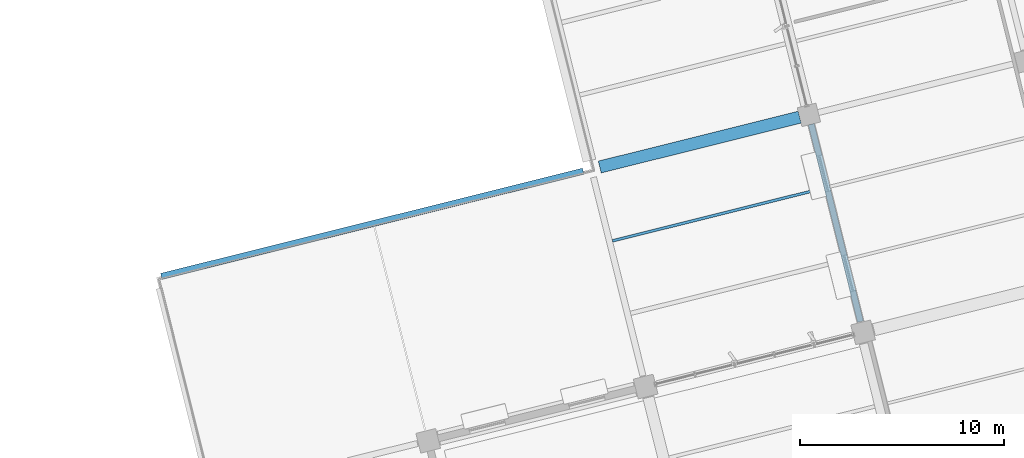
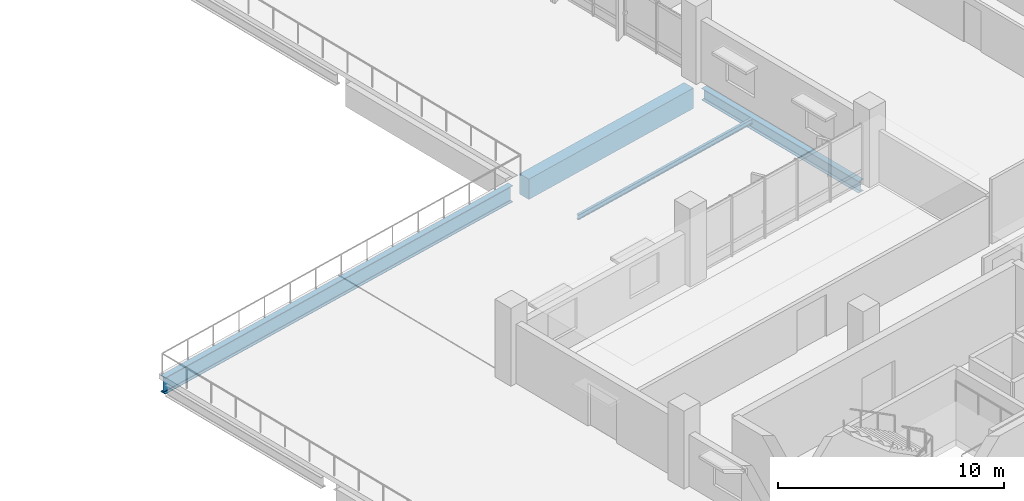
# One storey, part 26 of 75: 4 beams.
"""IFC4 building model written with IfcOpenShell, lengths in metres."""

from ifc_helpers import new_model, si_unit, direction, frame, origin, origin_2d, place, context, subcontext, project, spatial, rectangle, i_section, extrude, material, material_profile, profile_set, type_object, element, save


model = new_model("IFC4")

# Units and contexts
model_context = context("Model", 3, precision=1e-05, world=origin(), true_north=direction((0.0, 1.0)))
body_context = subcontext(model_context, "Body", "Model", "MODEL_VIEW")
ifc_project = project(units=[si_unit("LENGTHUNIT", "METRE"), si_unit("AREAUNIT", "SQUARE_METRE"), si_unit("VOLUMEUNIT", "CUBIC_METRE"), si_unit("PLANEANGLEUNIT", "RADIAN"), si_unit("MASSUNIT", "GRAM", prefix="KILO")], contexts=[model_context])

# Site, building, storey
site_placement = place(None, origin())
site = spatial("IfcSite", under=ifc_project, at=site_placement, CompositionType="ELEMENT")
building_placement = place(site_placement, origin())
building = spatial("IfcBuilding", under=site, at=building_placement, Name="Khorjan Park Terminus", CompositionType="ELEMENT")
storey_placement = place(building_placement, frame((0.0, 0.0, 16.2)))
storey = spatial("IfcBuildingStorey", under=building, at=storey_placement, Name="L03", CompositionType="ELEMENT", Elevation=16.2)

# Beams
ifc_material_1 = material(Name="Steel S355", Category="steel")
ifc_material_profile_1 = material_profile(ifc_material_1, i_section(OverallWidth=0.3, OverallDepth=0.64, WebThickness=0.0135, FlangeThickness=0.026, FilletRadius=0.027, at=origin_2d()), Name="HEA 650")
ifc_profile_set_1 = profile_set([ifc_material_profile_1], Name="Steel S355")
beam_type_1 = type_object("IfcBeamType", Name="BM-HEA650", PredefinedType="BEAM", material=ifc_profile_set_1)
beam_1_placement = place(storey_placement, frame((192.5656, 31.8587, -0.67), z_axis=(-0.241922892916, 0.970295477616, 0.0), x_axis=(-0.970295477616, -0.241922892916, 0.0)))
element("IfcBeam", 1, at=beam_1_placement, inside=storey, type_object=beam_type_1, Name="Primary skew-grid floor girder SB-A65 (L03)", PredefinedType="BEAM", context=body_context, shape_type="SweptSolid", body=[
    extrude(i_section(OverallWidth=0.3, OverallDepth=0.64, WebThickness=0.0135, FlangeThickness=0.026, FilletRadius=0.027, at=origin_2d()), origin(), (0.0, 0.0, 1.0), 9.985),
])
ifc_material_profile_2 = material_profile(ifc_material_1, i_section(OverallWidth=0.3, OverallDepth=0.89, WebThickness=0.016, FlangeThickness=0.03, FilletRadius=0.03, at=origin_2d()), Name="HEA 900")
ifc_profile_set_2 = profile_set([ifc_material_profile_2], Name="Steel S355")
beam_type_2 = type_object("IfcBeamType", Name="BM-HEA900", PredefinedType="BEAM", material=ifc_profile_set_2)
beam_2_placement = place(storey_placement, frame((158.2543, 34.079, -0.715), z_axis=(0.970295877946, 0.241921287283, 0.0), x_axis=(-0.241921287283, 0.970295877946, 0.0)))
element("IfcBeam", 2, at=beam_2_placement, inside=storey, type_object=beam_type_2, Name="Primary skew-grid floor girder SB-A90 (L03)", PredefinedType="BEAM", context=body_context, shape_type="SweptSolid", body=[
    extrude(i_section(OverallWidth=0.3, OverallDepth=0.89, WebThickness=0.016, FlangeThickness=0.03, FilletRadius=0.03, at=origin_2d()), origin(), (0.0, 0.0, 1.0), 21.335),
])
ifc_material_2 = material(Name="Concrete C40/50", Category="concrete")
ifc_material_profile_3 = material_profile(ifc_material_2, rectangle(XDim=0.6, YDim=1.1, at=origin_2d()), Name="RC 600x1100")
ifc_profile_set_3 = profile_set([ifc_material_profile_3], Name="Concrete C40/50")
beam_type_3 = type_object("IfcBeamType", Name="BM-RC600x1100", PredefinedType="BEAM", material=ifc_profile_set_3)
beam_3_placement = place(storey_placement, frame((179.7706, 39.4436, -0.82), z_axis=(0.970294168541, 0.241928143249, 0.0), x_axis=(-0.241928143249, 0.970294168541, 0.0)))
element("IfcBeam", 3, at=beam_3_placement, inside=storey, type_object=beam_type_3, Name="Primary skew-grid floor girder GB-11 (L03)", PredefinedType="BEAM", context=body_context, shape_type="SweptSolid", body=[
    extrude(rectangle(XDim=0.6, YDim=1.1, at=origin_2d()), origin(), (0.0, 0.0, 1.0), 10.11),
])
ifc_material_profile_4 = material_profile(ifc_material_1, i_section(OverallWidth=0.135, OverallDepth=0.27, WebThickness=0.0066, FlangeThickness=0.0102, FilletRadius=0.015, at=origin_2d()), Name="IPE 270")
ifc_profile_set_4 = profile_set([ifc_material_profile_4], Name="Steel S355")
beam_type_4 = type_object("IfcBeamType", Name="JS-IPE270", PredefinedType="JOIST", material=ifc_profile_set_4)
beam_4_placement = place(storey_placement, frame((180.3957, 35.8205, -0.485), z_axis=(0.970294591155, 0.241926448278, 0.0), x_axis=(-0.241926448278, 0.970294591155, 0.0)))
element("IfcBeam", 4, at=beam_4_placement, inside=storey, type_object=beam_type_4, Name="Secondary composite floor joist SJ-27 (L03)", PredefinedType="JOIST", context=body_context, shape_type="SweptSolid", body=[
    extrude(i_section(OverallWidth=0.135, OverallDepth=0.27, WebThickness=0.0066, FlangeThickness=0.0102, FilletRadius=0.015, at=origin_2d()), origin(), (0.0, 0.0, 1.0), 10.6999),
])

save(model, "model.ifc")
